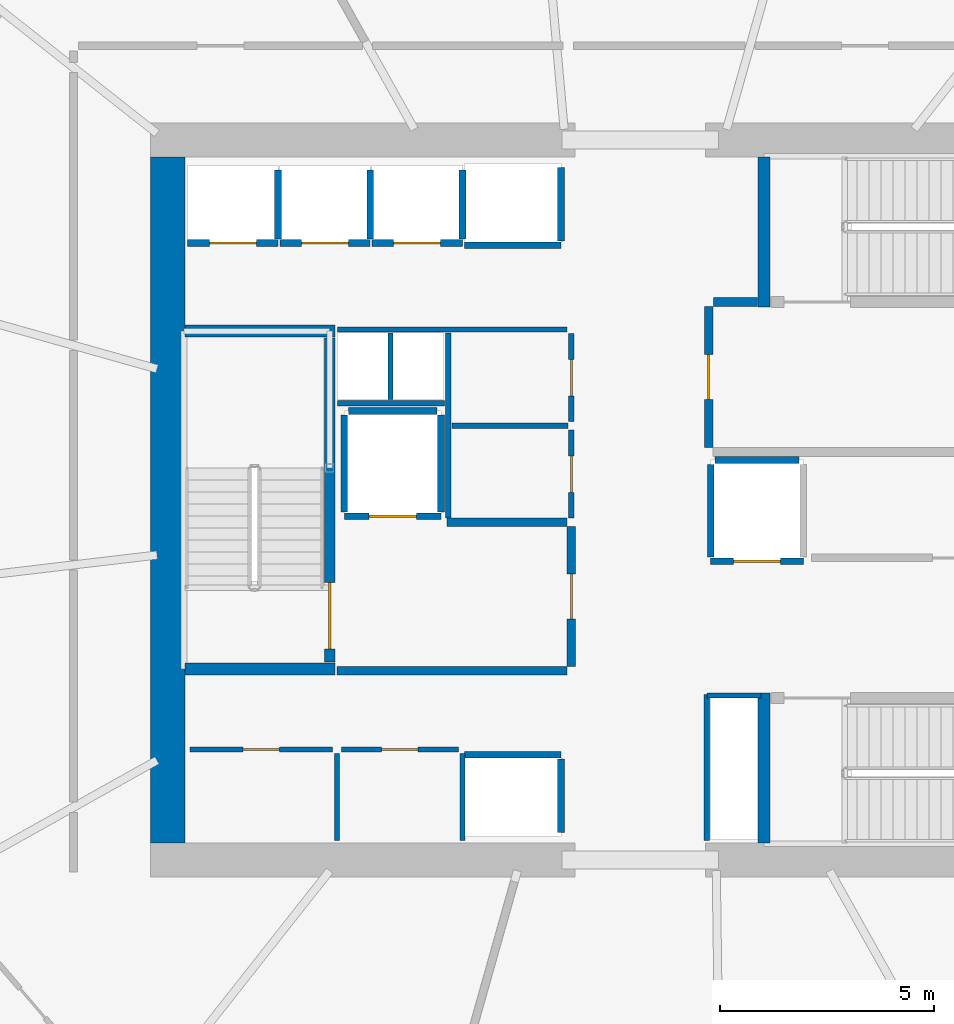
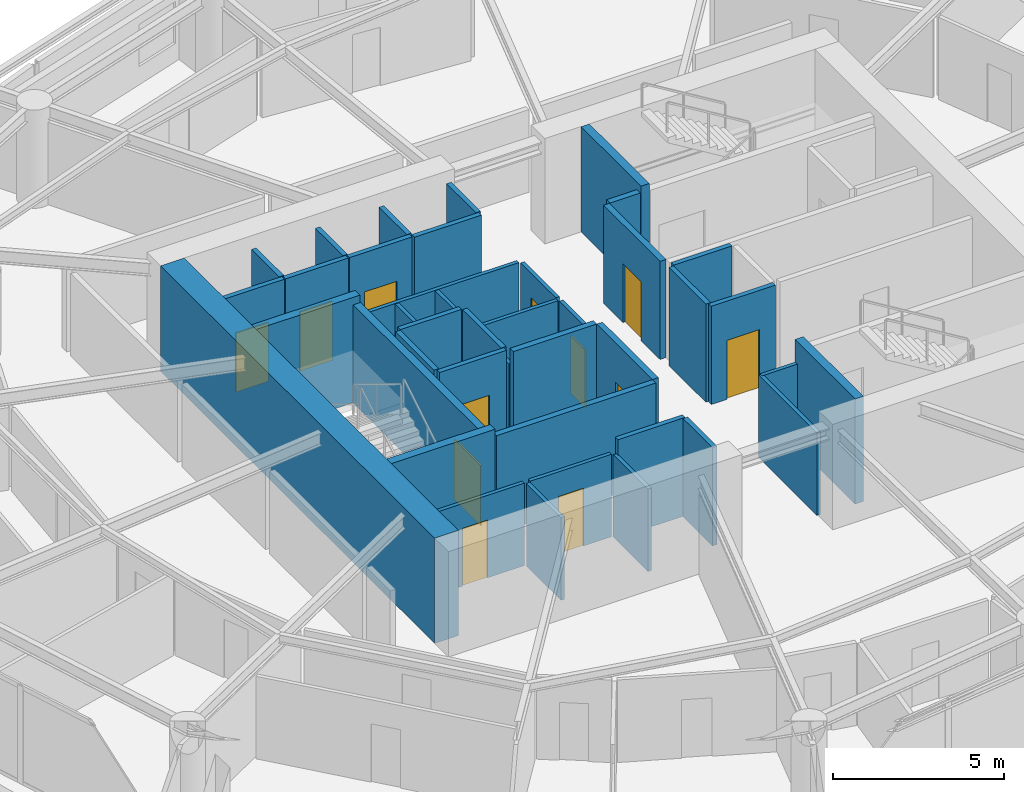
# One storey, part 12 of 20: 41 walls, 12 doors, 12 openings.
"""IFC4 building model written with IfcOpenShell, lengths in metres."""

from ifc_helpers import new_model, si_unit, direction, frame, frame_2d, origin, place, context, subcontext, project, spatial, rectangle, extrude, material, layer, layer_set, type_object, element, fill, save


model = new_model("IFC4")

# Units and contexts
model_context = context("Model", 3, precision=1e-05, world=origin(), true_north=direction((0.0, 1.0)))
body_context = subcontext(model_context, "Body", "Model", "MODEL_VIEW")
ifc_project = project(units=[si_unit("LENGTHUNIT", "METRE"), si_unit("AREAUNIT", "SQUARE_METRE"), si_unit("VOLUMEUNIT", "CUBIC_METRE"), si_unit("PLANEANGLEUNIT", "RADIAN"), si_unit("MASSUNIT", "GRAM", prefix="KILO")], contexts=[model_context])

# Site, building, storey
site_placement = place(None, origin())
site = spatial("IfcSite", under=ifc_project, at=site_placement, CompositionType="ELEMENT")
building_placement = place(site_placement, origin())
building = spatial("IfcBuilding", under=site, at=building_placement, Name="Kazma Halo Residences", CompositionType="ELEMENT")
storey_placement = place(building_placement, frame((0.0, 0.0, 165.300048828125)))
storey = spatial("IfcBuildingStorey", under=building, at=storey_placement, Name="L41", CompositionType="ELEMENT", Elevation=165.300048828125)

# Walls
ifc_material_1 = material(Name="Concrete C80/95", Category="concrete")
ifc_layer_1 = layer(ifc_material_1, 0.800048828125)
ifc_layer_set_1 = layer_set([ifc_layer_1], Name="Concrete C80/95")
wall_type_1 = type_object("IfcWallType", Name="WL-CORE-800", PredefinedType="SHEAR", material=ifc_layer_set_1)
wall_1_placement = place(storey_placement, frame((37.39990234375, 34.0, 0.0), z_axis=(0.0, 0.0, 1.0), x_axis=(0.0, 1.0, 0.0)))
element("IfcWall", 1, at=wall_1_placement, inside=storey, type_object=wall_type_1, Name="L41 central core shear wall W", PredefinedType="SHEAR", context=body_context, shape_type="SweptSolid", body=[
    extrude(rectangle(XDim=16.0, YDim=0.800048828125, at=frame_2d((8.0, 0.0))), origin(), (0.0, 0.0, 1.0), 3.75),
])
ifc_material_2 = material(Name="Concrete C60/75", Category="concrete")
ifc_layer_2 = layer(ifc_material_2, 0.280029296875)
ifc_layer_set_2 = layer_set([ifc_layer_2], Name="Concrete C60/75")
wall_type_2 = type_object("IfcWallType", Name="WL-CORE-ST-280", PredefinedType="SHEAR", material=ifc_layer_set_2)
for number, where, z_axis, x_axis, name in (
    (2, (37.800048828125, 38.06005859375, 0.0), (0.0, 0.0, 1.0), (1.0, 0.0, 0.0), "L41 stairwell bearing wall ST01-S"),
    (3, (37.800048828125, 45.93994140625, 0.0), (0.0, 0.0, 1.0), (1.0, 0.0, 0.0), "L41 stairwell bearing wall ST01-N"),
    (4, (51.31005859375, 46.5, 0.0), (0.0, 0.0, 1.0), (0.0, 1.0, 0.0), "L41 stairwell bearing wall ST02-W"),
    (5, (51.31005859375, 34.0, 0.0), (0.0, 0.0, 1.0), (0.0, 1.0, 0.0), "L41 stairwell bearing wall ST03-W"),
):
    element("IfcWall", number, at=place(storey_placement, frame(where, z_axis=z_axis, x_axis=x_axis)), inside=storey, type_object=wall_type_2, Name=name, PredefinedType="SHEAR", context=body_context, shape_type="SweptSolid", body=[
        extrude(rectangle(XDim=3.5, YDim=0.280029296875, at=frame_2d((1.75, 0.0))), origin(), (0.0, 0.0, 1.0), 3.75),
    ])

# Wall, opening, door
ifc_material_3 = material(Name="Fire-Rated Blockwork Masonry", Category="masonry")
ifc_layer_3 = layer(ifc_material_3, 0.199951171875)
ifc_layer_set_3 = layer_set([ifc_layer_3], Name="Fire-Rated Blockwork Masonry")
wall_type_3 = type_object("IfcWallType", Name="WL-FLB-200", PredefinedType="PARTITIONING", material=ifc_layer_set_3)
wall_2_placement = place(storey_placement, frame((39.97509765625, 47.9951171875, 0.0), z_axis=(0.0, 0.0, 1.0), x_axis=(-1.0, 0.0, 0.0)))
wall_2 = element("IfcWall", 6, at=wall_2_placement, inside=storey, type_object=wall_type_3, Name="L41 lift shaft PM-01 front wall", PredefinedType="PARTITIONING", context=body_context, shape_type="SweptSolid", body=[
    extrude(rectangle(XDim=2.110107421875, YDim=0.159912109375, at=frame_2d((1.05517578125, 0.0))), origin(), (0.0, 0.0, 1.0), 3.5),
])
opening_1_placement = place(wall_2_placement, frame((0.5048828125, 0.0, 0.0)))
opening_1 = element("IfcOpeningElement", 7, at=opening_1_placement, cuts=wall_2, Name="Opening LD-PM-01", PredefinedType="OPENING", context=body_context, shape_type="SweptSolid", body=[
    extrude(rectangle(XDim=1.10009765625, YDim=2.10009765625, at=frame_2d((0.550048828125, 1.050048828125))), frame((0.0, 0.08984375, 0.0), z_axis=(0.0, -1.0, 0.0), x_axis=(1.0, 0.0, 0.0)), (0.0, 0.0, 1.0), 0.179931640625),
])
ifc_material_4 = material(Name="Stainless Steel Fire-Rated", Category="steel")
door_type_1 = type_object("IfcDoorType", Name="DR-LIFT-SLD-1100", OperationType="DOUBLE_DOOR_SLIDING", PredefinedType="DOOR", material=ifc_material_4)
door_1_placement = place(opening_1_placement, origin())
door_1 = element("IfcDoor", 8, at=door_1_placement, inside=storey, type_object=door_type_1, Name="L41 lift PM-01 sliding landing door", OperationType="DOUBLE_DOOR_SLIDING", OverallHeight=2.10009765625, OverallWidth=1.10009765625, PredefinedType="DOOR", context=body_context, shape_type="SweptSolid", body=[
    extrude(rectangle(XDim=1.10009765625, YDim=2.10009765625, at=frame_2d((0.550048828125, 1.050048828125))), frame((0.0, 0.02490234375, 0.0), z_axis=(0.0, -1.0, 0.0), x_axis=(1.0, 0.0, 0.0)), (0.0, 0.0, 1.0), 0.050048828125),
])
fill(opening_1, door_1)

# Wall
wall_3_placement = place(storey_placement, frame((39.97509765625, 48.094970703125, 0.0), z_axis=(0.0, 0.0, 1.0), x_axis=(0.0, 1.0, 0.0)))
element("IfcWall", 9, at=wall_3_placement, inside=storey, type_object=wall_type_3, Name="L41 lift shaft PM-01 side wall E", PredefinedType="PARTITIONING", context=body_context, shape_type="SweptSolid", body=[
    extrude(rectangle(XDim=1.610107421875, YDim=0.159912109375, at=frame_2d((0.80517578125, 0.0))), origin(), (0.0, 0.0, 1.0), 3.5),
])

# Wall, opening, door
wall_4_placement = place(storey_placement, frame((42.125, 47.9951171875, 0.0), z_axis=(0.0, 0.0, 1.0), x_axis=(-1.0, 0.0, 0.0)))
wall_4 = element("IfcWall", 10, at=wall_4_placement, inside=storey, type_object=wall_type_3, Name="L41 lift shaft PM-02 front wall", PredefinedType="PARTITIONING", context=body_context, shape_type="SweptSolid", body=[
    extrude(rectangle(XDim=2.110107421875, YDim=0.159912109375, at=frame_2d((1.05517578125, 0.0))), origin(), (0.0, 0.0, 1.0), 3.5),
])
opening_2_placement = place(wall_4_placement, frame((0.5048828125, 0.0, 0.0)))
opening_2 = element("IfcOpeningElement", 11, at=opening_2_placement, cuts=wall_4, Name="Opening LD-PM-02", PredefinedType="OPENING", context=body_context, shape_type="SweptSolid", body=[
    extrude(rectangle(XDim=1.10009765625, YDim=2.10009765625, at=frame_2d((0.550048828125, 1.050048828125))), frame((0.0, 0.08984375, 0.0), z_axis=(0.0, -1.0, 0.0), x_axis=(1.0, 0.0, 0.0)), (0.0, 0.0, 1.0), 0.179931640625),
])
door_2_placement = place(opening_2_placement, origin())
door_2 = element("IfcDoor", 12, at=door_2_placement, inside=storey, type_object=door_type_1, Name="L41 lift PM-02 sliding landing door", OperationType="DOUBLE_DOOR_SLIDING", OverallHeight=2.10009765625, OverallWidth=1.10009765625, PredefinedType="DOOR", context=body_context, shape_type="SweptSolid", body=[
    extrude(rectangle(XDim=1.10009765625, YDim=2.10009765625, at=frame_2d((0.550048828125, 1.050048828125))), frame((0.0, 0.02490234375, 0.0), z_axis=(0.0, -1.0, 0.0), x_axis=(1.0, 0.0, 0.0)), (0.0, 0.0, 1.0), 0.050048828125),
])
fill(opening_2, door_2)

# Wall
wall_5_placement = place(storey_placement, frame((42.125, 48.094970703125, 0.0), z_axis=(0.0, 0.0, 1.0), x_axis=(0.0, 1.0, 0.0)))
element("IfcWall", 13, at=wall_5_placement, inside=storey, type_object=wall_type_3, Name="L41 lift shaft PM-02 side wall E", PredefinedType="PARTITIONING", context=body_context, shape_type="SweptSolid", body=[
    extrude(rectangle(XDim=1.610107421875, YDim=0.159912109375, at=frame_2d((0.80517578125, 0.0))), origin(), (0.0, 0.0, 1.0), 3.5),
])

# Wall, opening, door
wall_6_placement = place(storey_placement, frame((44.27490234375, 47.9951171875, 0.0), z_axis=(0.0, 0.0, 1.0), x_axis=(-1.0, 0.0, 0.0)))
wall_6 = element("IfcWall", 14, at=wall_6_placement, inside=storey, type_object=wall_type_3, Name="L41 lift shaft PM-03 front wall", PredefinedType="PARTITIONING", context=body_context, shape_type="SweptSolid", body=[
    extrude(rectangle(XDim=2.10986328125, YDim=0.159912109375, at=frame_2d((1.054931640625, 0.0))), origin(), (0.0, 0.0, 1.0), 3.5),
])
opening_3_placement = place(wall_6_placement, frame((0.5048828125, 0.0, 0.0)))
opening_3 = element("IfcOpeningElement", 15, at=opening_3_placement, cuts=wall_6, Name="Opening LD-PM-03", PredefinedType="OPENING", context=body_context, shape_type="SweptSolid", body=[
    extrude(rectangle(XDim=1.10009765625, YDim=2.10009765625, at=frame_2d((0.550048828125, 1.050048828125))), frame((0.0, 0.08984375, 0.0), z_axis=(0.0, -1.0, 0.0), x_axis=(1.0, 0.0, 0.0)), (0.0, 0.0, 1.0), 0.179931640625),
])
door_3_placement = place(opening_3_placement, origin())
door_3 = element("IfcDoor", 16, at=door_3_placement, inside=storey, type_object=door_type_1, Name="L41 lift PM-03 sliding landing door", OperationType="DOUBLE_DOOR_SLIDING", OverallHeight=2.10009765625, OverallWidth=1.10009765625, PredefinedType="DOOR", context=body_context, shape_type="SweptSolid", body=[
    extrude(rectangle(XDim=1.10009765625, YDim=2.10009765625, at=frame_2d((0.550048828125, 1.050048828125))), frame((0.0, 0.02490234375, 0.0), z_axis=(0.0, -1.0, 0.0), x_axis=(1.0, 0.0, 0.0)), (0.0, 0.0, 1.0), 0.050048828125),
])
fill(opening_3, door_3)

# Walls
wall_7_placement = place(storey_placement, frame((44.27490234375, 48.094970703125, 0.0), z_axis=(0.0, 0.0, 1.0), x_axis=(0.0, 1.0, 0.0)))
element("IfcWall", 17, at=wall_7_placement, inside=storey, type_object=wall_type_3, Name="L41 lift shaft PM-03 side wall E", PredefinedType="PARTITIONING", context=body_context, shape_type="SweptSolid", body=[
    extrude(rectangle(XDim=1.610107421875, YDim=0.159912109375, at=frame_2d((0.80517578125, 0.0))), origin(), (0.0, 0.0, 1.0), 3.5),
])
wall_8_placement = place(storey_placement, frame((46.580078125, 47.945068359375, 0.0), z_axis=(0.0, 0.0, 1.0), x_axis=(-1.0, 0.0, 0.0)))
element("IfcWall", 18, at=wall_8_placement, inside=storey, type_object=wall_type_3, Name="L41 lift shaft PX-01 front wall", PredefinedType="PARTITIONING", context=body_context, shape_type="SweptSolid", body=[
    extrude(rectangle(XDim=2.260009765625, YDim=0.159912109375, at=frame_2d((1.1298828125, 0.0))), origin(), (0.0, 0.0, 1.0), 3.5),
])
wall_9_placement = place(storey_placement, frame((46.580078125, 48.044921875, 0.0), z_axis=(0.0, 0.0, 1.0), x_axis=(0.0, 1.0, 0.0)))
element("IfcWall", 19, at=wall_9_placement, inside=storey, type_object=wall_type_3, Name="L41 lift shaft PX-01 side wall E", PredefinedType="PARTITIONING", context=body_context, shape_type="SweptSolid", body=[
    extrude(rectangle(XDim=1.7099609375, YDim=0.159912109375, at=frame_2d((0.85498046875, 0.0))), origin(), (0.0, 0.0, 1.0), 3.5),
])
wall_10_placement = place(storey_placement, frame((44.320068359375, 36.054931640625, 0.0), z_axis=(0.0, 0.0, 1.0), x_axis=(1.0, 0.0, 0.0)))
element("IfcWall", 20, at=wall_10_placement, inside=storey, type_object=wall_type_3, Name="L41 lift shaft PX-02 front wall", PredefinedType="PARTITIONING", context=body_context, shape_type="SweptSolid", body=[
    extrude(rectangle(XDim=2.260009765625, YDim=0.159912109375, at=frame_2d((1.1298828125, 0.0))), origin(), (0.0, 0.0, 1.0), 3.5),
])
wall_11_placement = place(storey_placement, frame((46.580078125, 34.2451171875, 0.0), z_axis=(0.0, 0.0, 1.0), x_axis=(0.0, 1.0, 0.0)))
element("IfcWall", 21, at=wall_11_placement, inside=storey, type_object=wall_type_3, Name="L41 lift shaft PX-02 side wall E", PredefinedType="PARTITIONING", context=body_context, shape_type="SweptSolid", body=[
    extrude(rectangle(XDim=1.7099609375, YDim=0.159912109375, at=frame_2d((0.85498046875, 0.0))), origin(), (0.0, 0.0, 1.0), 3.5),
])

# Wall, opening, door
wall_12_placement = place(storey_placement, frame((43.780029296875, 41.6201171875, 0.0), z_axis=(0.0, 0.0, 1.0), x_axis=(-1.0, 0.0, 0.0)))
wall_12 = element("IfcWall", 22, at=wall_12_placement, inside=storey, type_object=wall_type_3, Name="L41 lift shaft FL-01 front wall", PredefinedType="PARTITIONING", context=body_context, shape_type="SweptSolid", body=[
    extrude(rectangle(XDim=2.260009765625, YDim=0.159912109375, at=frame_2d((1.1298828125, 0.0))), origin(), (0.0, 0.0, 1.0), 3.5),
])
opening_4_placement = place(wall_12_placement, frame((0.580078125, 0.0, 0.0)))
opening_4 = element("IfcOpeningElement", 23, at=opening_4_placement, cuts=wall_12, Name="Opening LD-FL-01", PredefinedType="OPENING", context=body_context, shape_type="SweptSolid", body=[
    extrude(rectangle(XDim=1.10009765625, YDim=2.10009765625, at=frame_2d((0.550048828125, 1.050048828125))), frame((0.0, 0.08984375, 0.0), z_axis=(0.0, -1.0, 0.0), x_axis=(1.0, 0.0, 0.0)), (0.0, 0.0, 1.0), 0.179931640625),
])
door_4_placement = place(opening_4_placement, origin())
door_4 = element("IfcDoor", 24, at=door_4_placement, inside=storey, type_object=door_type_1, Name="L41 lift FL-01 sliding landing door", OperationType="DOUBLE_DOOR_SLIDING", OverallHeight=2.10009765625, OverallWidth=1.10009765625, PredefinedType="DOOR", context=body_context, shape_type="SweptSolid", body=[
    extrude(rectangle(XDim=1.10009765625, YDim=2.10009765625, at=frame_2d((0.550048828125, 1.050048828125))), frame((0.0, 0.02490234375, 0.0), z_axis=(0.0, -1.0, 0.0), x_axis=(1.0, 0.0, 0.0)), (0.0, 0.0, 1.0), 0.050048828125),
])
fill(opening_4, door_4)

# Walls
for number, where, z_axis, x_axis, name in (
    (25, (43.780029296875, 41.719970703125, 0.0), (0.0, 0.0, 1.0), (0.0, 1.0, 0.0), "L41 lift shaft FL-01 side wall E"),
    (26, (41.52001953125, 41.719970703125, 0.0), (0.0, 0.0, 1.0), (0.0, 1.0, 0.0), "L41 lift shaft FL-01 side wall W"),
):
    element("IfcWall", number, at=place(storey_placement, frame(where, z_axis=z_axis, x_axis=x_axis)), inside=storey, type_object=wall_type_3, Name=name, PredefinedType="PARTITIONING", context=body_context, shape_type="SweptSolid", body=[
        extrude(rectangle(XDim=2.260009765625, YDim=0.159912109375, at=frame_2d((1.1298828125, 0.0))), origin(), (0.0, 0.0, 1.0), 3.5),
    ])
wall_13_placement = place(storey_placement, frame((41.6201171875, 44.080078125, 0.0), z_axis=(0.0, 0.0, 1.0), x_axis=(1.0, 0.0, 0.0)))
element("IfcWall", 27, at=wall_13_placement, inside=storey, type_object=wall_type_3, Name="L41 lift shaft FL-01 side wall N", PredefinedType="PARTITIONING", context=body_context, shape_type="SweptSolid", body=[
    extrude(rectangle(XDim=2.059814453125, YDim=0.159912109375, at=frame_2d((1.02978515625, 0.0))), origin(), (0.0, 0.0, 1.0), 3.5),
])

# Wall, opening, door
wall_14_placement = place(storey_placement, frame((52.22998046875, 40.570068359375, 0.0), z_axis=(0.0, 0.0, 1.0), x_axis=(-1.0, 0.0, 0.0)))
wall_14 = element("IfcWall", 28, at=wall_14_placement, inside=storey, type_object=wall_type_3, Name="L41 lift shaft SV-01 front wall", PredefinedType="PARTITIONING", context=body_context, shape_type="SweptSolid", body=[
    extrude(rectangle(XDim=2.159912109375, YDim=0.159912109375, at=frame_2d((1.080078125, 0.0))), origin(), (0.0, 0.0, 1.0), 3.5),
])
opening_5_placement = place(wall_14_placement, frame((0.530029296875, 0.0, 0.0)))
opening_5 = element("IfcOpeningElement", 29, at=opening_5_placement, cuts=wall_14, Name="Opening LD-SV-01", PredefinedType="OPENING", context=body_context, shape_type="SweptSolid", body=[
    extrude(rectangle(XDim=1.10009765625, YDim=2.10009765625, at=frame_2d((0.550048828125, 1.050048828125))), frame((0.0, 0.08984375, 0.0), z_axis=(0.0, -1.0, 0.0), x_axis=(1.0, 0.0, 0.0)), (0.0, 0.0, 1.0), 0.179931640625),
])
door_5_placement = place(opening_5_placement, origin())
door_5 = element("IfcDoor", 30, at=door_5_placement, inside=storey, type_object=door_type_1, Name="L41 lift SV-01 sliding landing door", OperationType="DOUBLE_DOOR_SLIDING", OverallHeight=2.10009765625, OverallWidth=1.10009765625, PredefinedType="DOOR", context=body_context, shape_type="SweptSolid", body=[
    extrude(rectangle(XDim=1.10009765625, YDim=2.10009765625, at=frame_2d((0.550048828125, 1.050048828125))), frame((0.0, 0.02490234375, 0.0), z_axis=(0.0, -1.0, 0.0), x_axis=(1.0, 0.0, 0.0)), (0.0, 0.0, 1.0), 0.050048828125),
])
fill(opening_5, door_5)

# Walls
wall_15_placement = place(storey_placement, frame((50.070068359375, 40.669921875, 0.0), z_axis=(0.0, 0.0, 1.0), x_axis=(0.0, 1.0, 0.0)))
element("IfcWall", 31, at=wall_15_placement, inside=storey, type_object=wall_type_3, Name="L41 lift shaft SV-01 side wall W", PredefinedType="PARTITIONING", context=body_context, shape_type="SweptSolid", body=[
    extrude(rectangle(XDim=2.16015625, YDim=0.159912109375, at=frame_2d((1.080078125, 0.0))), origin(), (0.0, 0.0, 1.0), 3.5),
])
wall_16_placement = place(storey_placement, frame((50.169921875, 42.929931640625, 0.0), z_axis=(0.0, 0.0, 1.0), x_axis=(1.0, 0.0, 0.0)))
element("IfcWall", 32, at=wall_16_placement, inside=storey, type_object=wall_type_3, Name="L41 lift shaft SV-01 side wall N", PredefinedType="PARTITIONING", context=body_context, shape_type="SweptSolid", body=[
    extrude(rectangle(XDim=1.9599609375, YDim=0.159912109375, at=frame_2d((0.97998046875, 0.0))), origin(), (0.0, 0.0, 1.0), 3.5),
])
wall_17_placement = place(storey_placement, frame((41.35009765625, 38.02001953125, 0.0), z_axis=(0.0, 0.0, 1.0), x_axis=(1.0, 0.0, 0.0)))
element("IfcWall", 33, at=wall_17_placement, inside=storey, type_object=wall_type_3, Name="L41 west firefighting lobby south smoke wall", PredefinedType="PARTITIONING", context=body_context, shape_type="SweptSolid", body=[
    extrude(rectangle(XDim=5.369873046875, YDim=0.199951171875, at=frame_2d((2.68505859375, 0.0))), origin(), (0.0, 0.0, 1.0), 3.5),
])
wall_18_placement = place(storey_placement, frame((43.919921875, 41.47998046875, 0.0), z_axis=(0.0, 0.0, 1.0), x_axis=(1.0, 0.0, 0.0)))
element("IfcWall", 34, at=wall_18_placement, inside=storey, type_object=wall_type_3, Name="L41 west firefighting lobby north smoke wall", PredefinedType="PARTITIONING", context=body_context, shape_type="SweptSolid", body=[
    extrude(rectangle(XDim=2.800048828125, YDim=0.199951171875, at=frame_2d((1.39990234375, 0.0))), origin(), (0.0, 0.0, 1.0), 3.5),
])

# Wall, opening, door
wall_19_placement = place(storey_placement, frame((46.820068359375, 38.1201171875, 0.0), z_axis=(0.0, 0.0, 1.0), x_axis=(0.0, 1.0, 0.0)))
wall_19 = element("IfcWall", 35, at=wall_19_placement, inside=storey, type_object=wall_type_3, Name="L41 west firefighting lobby smoke wall", PredefinedType="PARTITIONING", context=body_context, shape_type="SweptSolid", body=[
    extrude(rectangle(XDim=3.259765625, YDim=0.199951171875, at=frame_2d((1.6298828125, 0.0))), origin(), (0.0, 0.0, 1.0), 3.5),
])
opening_6_placement = place(wall_19_placement, frame((1.10498046875, 0.0, 0.0)))
opening_6 = element("IfcOpeningElement", 36, at=opening_6_placement, cuts=wall_19, Name="Opening D-FLW", PredefinedType="OPENING", context=body_context, shape_type="SweptSolid", body=[
    extrude(rectangle(XDim=1.050048828125, YDim=2.10009765625, at=frame_2d((0.52490234375, 1.050048828125))), frame((0.0, 0.10986328125, 0.0), z_axis=(0.0, -1.0, 0.0), x_axis=(1.0, 0.0, 0.0)), (0.0, 0.0, 1.0), 0.219970703125),
])
ifc_material_5 = material(Name="Fire-Rated Steel Leaf", Category="steel")
door_type_2 = type_object("IfcDoorType", Name="DR-FD90-1050", OperationType="NOTDEFINED", PredefinedType="DOOR", material=ifc_material_5)
door_6_placement = place(opening_6_placement, origin())
door_6 = element("IfcDoor", 37, at=door_6_placement, inside=storey, type_object=door_type_2, Name="L41 west firefighting lobby smoke door", OperationType="SINGLE_SWING_RIGHT", OverallHeight=2.10009765625, OverallWidth=1.050048828125, PredefinedType="DOOR", context=body_context, shape_type="SweptSolid", body=[
    extrude(rectangle(XDim=1.050048828125, YDim=2.10009765625, at=frame_2d((0.52490234375, 1.050048828125))), frame((0.0, 0.02490234375, 0.0), z_axis=(0.0, -1.0, 0.0), x_axis=(1.0, 0.0, 0.0)), (0.0, 0.0, 1.0), 0.050048828125),
])
fill(opening_6, door_6)

# Wall
wall_20_placement = place(storey_placement, frame((50.139892578125, 46.6201171875, 0.0), z_axis=(0.0, 0.0, 1.0), x_axis=(1.0, 0.0, 0.0)))
element("IfcWall", 38, at=wall_20_placement, inside=storey, type_object=wall_type_3, Name="L41 east firefighting lobby north closure wall", PredefinedType="PARTITIONING", context=body_context, shape_type="SweptSolid", body=[
    extrude(rectangle(XDim=1.02001953125, YDim=0.199951171875, at=frame_2d((0.510009765625, 0.0))), origin(), (0.0, 0.0, 1.0), 3.5),
])

# Wall, opening, door
wall_21_placement = place(storey_placement, frame((50.02001953125, 43.219970703125, 0.0), z_axis=(0.0, 0.0, 1.0), x_axis=(0.0, 1.0, 0.0)))
wall_21 = element("IfcWall", 39, at=wall_21_placement, inside=storey, type_object=wall_type_3, Name="L41 east firefighting lobby smoke wall", PredefinedType="PARTITIONING", context=body_context, shape_type="SweptSolid", body=[
    extrude(rectangle(XDim=3.300048828125, YDim=0.199951171875, at=frame_2d((1.64990234375, 0.0))), origin(), (0.0, 0.0, 1.0), 3.5),
])
opening_7_placement = place(wall_21_placement, frame((1.125, 0.0, 0.0)))
opening_7 = element("IfcOpeningElement", 40, at=opening_7_placement, cuts=wall_21, Name="Opening D-FLE", PredefinedType="OPENING", context=body_context, shape_type="SweptSolid", body=[
    extrude(rectangle(XDim=1.050048828125, YDim=2.10009765625, at=frame_2d((0.52490234375, 1.050048828125))), frame((0.0, 0.10986328125, 0.0), z_axis=(0.0, -1.0, 0.0), x_axis=(1.0, 0.0, 0.0)), (0.0, 0.0, 1.0), 0.219970703125),
])
door_7_placement = place(opening_7_placement, origin())
door_7 = element("IfcDoor", 41, at=door_7_placement, inside=storey, type_object=door_type_2, Name="L41 east firefighting lobby smoke door", OperationType="SINGLE_SWING_LEFT", OverallHeight=2.10009765625, OverallWidth=1.050048828125, PredefinedType="DOOR", context=body_context, shape_type="SweptSolid", body=[
    extrude(rectangle(XDim=1.050048828125, YDim=2.10009765625, at=frame_2d((0.52490234375, 1.050048828125))), frame((0.0, 0.02490234375, 0.0), z_axis=(0.0, -1.0, 0.0), x_axis=(1.0, 0.0, 0.0)), (0.0, 0.0, 1.0), 0.050048828125),
])
fill(opening_7, door_7)

# Walls
ifc_material_6 = material(Name="Gypsum Plasterboard Partition")
ifc_layer_4 = layer(ifc_material_6, 0.125)
ifc_layer_set_4 = layer_set([ifc_layer_4], Name="Gypsum Plasterboard Partition")
wall_type_4 = type_object("IfcWallType", Name="WL-PART-125", PredefinedType="PARTITIONING", material=ifc_layer_set_4)
for number, where, z_axis, x_axis, name in (
    (42, (44.280029296875, 34.050048828125, 0.0), (0.0, 0.0, 1.0), (0.0, 1.0, 0.0), "L41 reclaimed south east wall"),
    (43, (41.35009765625, 34.050048828125, 0.0), (0.0, 0.0, 1.0), (0.0, 1.0, 0.0), "L41 reclaimed south divider wall"),
):
    element("IfcWall", number, at=place(storey_placement, frame(where, z_axis=z_axis, x_axis=x_axis)), inside=storey, type_object=wall_type_4, Name=name, PredefinedType="PARTITIONING", context=body_context, shape_type="SweptSolid", body=[
        extrude(rectangle(XDim=2.030029296875, YDim=0.125, at=frame_2d((1.01513671875, 0.0))), origin(), (0.0, 0.0, 1.0), 2.93994140625),
    ])

# Wall, opening, door
wall_22_placement = place(storey_placement, frame((37.919921875, 36.179931640625, 0.0), z_axis=(0.0, 0.0, 1.0), x_axis=(1.0, 0.0, 0.0)))
wall_22 = element("IfcWall", 44, at=wall_22_placement, inside=storey, type_object=wall_type_4, Name="L41 reclaimed south W front wall", PredefinedType="PARTITIONING", context=body_context, shape_type="SweptSolid", body=[
    extrude(rectangle(XDim=3.330078125, YDim=0.125, at=frame_2d((1.6650390625, 0.0))), origin(), (0.0, 0.0, 1.0), 2.93994140625),
])
opening_8_placement = place(wall_22_placement, frame((1.239990234375, 0.0, 0.0)))
opening_8 = element("IfcOpeningElement", 45, at=opening_8_placement, cuts=wall_22, Name="Opening DS-850", PredefinedType="OPENING", context=body_context, shape_type="SweptSolid", body=[
    extrude(rectangle(XDim=0.85009765625, YDim=2.06005859375, at=frame_2d((0.425048828125, 1.030029296875))), frame((0.0, 0.072509765625, 0.0), z_axis=(0.0, -1.0, 0.0), x_axis=(1.0, 0.0, 0.0)), (0.0, 0.0, 1.0), 0.14501953125),
])
ifc_material_7 = material(Name="Painted Steel Access Leaf", Category="steel")
door_type_3 = type_object("IfcDoorType", Name="DR-SVC-850", OperationType="NOTDEFINED", PredefinedType="DOOR", material=ifc_material_7)
door_8_placement = place(opening_8_placement, origin())
door_8 = element("IfcDoor", 46, at=door_8_placement, inside=storey, type_object=door_type_3, Name="L41 reclaimed south W door", OperationType="SINGLE_SWING_RIGHT", OverallHeight=2.06005859375, OverallWidth=0.85009765625, PredefinedType="DOOR", context=body_context, shape_type="SweptSolid", body=[
    extrude(rectangle(XDim=0.85009765625, YDim=2.06005859375, at=frame_2d((0.425048828125, 1.030029296875))), frame((0.0, 0.02490234375, 0.0), z_axis=(0.0, -1.0, 0.0), x_axis=(1.0, 0.0, 0.0)), (0.0, 0.0, 1.0), 0.050048828125),
])
fill(opening_8, door_8)

wall_23_placement = place(storey_placement, frame((41.449951171875, 36.179931640625, 0.0), z_axis=(0.0, 0.0, 1.0), x_axis=(1.0, 0.0, 0.0)))
wall_23 = element("IfcWall", 47, at=wall_23_placement, inside=storey, type_object=wall_type_4, Name="L41 reclaimed south E front wall", PredefinedType="PARTITIONING", context=body_context, shape_type="SweptSolid", body=[
    extrude(rectangle(XDim=2.72998046875, YDim=0.125, at=frame_2d((1.364990234375, 0.0))), origin(), (0.0, 0.0, 1.0), 2.93994140625),
])
opening_9_placement = place(wall_23_placement, frame((0.93994140625, 0.0, 0.0)))
opening_9 = element("IfcOpeningElement", 48, at=opening_9_placement, cuts=wall_23, Name="Opening DS-850", PredefinedType="OPENING", context=body_context, shape_type="SweptSolid", body=[
    extrude(rectangle(XDim=0.85009765625, YDim=2.06005859375, at=frame_2d((0.425048828125, 1.030029296875))), frame((0.0, 0.072509765625, 0.0), z_axis=(0.0, -1.0, 0.0), x_axis=(1.0, 0.0, 0.0)), (0.0, 0.0, 1.0), 0.14501953125),
])
door_9_placement = place(opening_9_placement, origin())
door_9 = element("IfcDoor", 49, at=door_9_placement, inside=storey, type_object=door_type_3, Name="L41 reclaimed south E door", OperationType="SINGLE_SWING_LEFT", OverallHeight=2.06005859375, OverallWidth=0.85009765625, PredefinedType="DOOR", context=body_context, shape_type="SweptSolid", body=[
    extrude(rectangle(XDim=0.85009765625, YDim=2.06005859375, at=frame_2d((0.425048828125, 1.030029296875))), frame((0.0, 0.02490234375, 0.0), z_axis=(0.0, -1.0, 0.0), x_axis=(1.0, 0.0, 0.0)), (0.0, 0.0, 1.0), 0.050048828125),
])
fill(opening_9, door_9)

# Walls
wall_24_placement = place(storey_placement, frame((41.360107421875, 45.97998046875, 0.0), z_axis=(0.0, 0.0, 1.0), x_axis=(1.0, 0.0, 0.0)))
element("IfcWall", 50, at=wall_24_placement, inside=storey, type_object=wall_type_4, Name="L41 core north riser wall", PredefinedType="PARTITIONING", context=body_context, shape_type="SweptSolid", body=[
    extrude(rectangle(XDim=5.35986328125, YDim=0.125, at=frame_2d((2.679931640625, 0.0))), origin(), (0.0, 0.0, 1.0), 2.93994140625),
])
wall_25_placement = place(storey_placement, frame((41.360107421875, 44.260009765625, 0.0), z_axis=(0.0, 0.0, 1.0), x_axis=(1.0, 0.0, 0.0)))
element("IfcWall", 51, at=wall_25_placement, inside=storey, type_object=wall_type_4, Name="L41 core riser south wall", PredefinedType="PARTITIONING", context=body_context, shape_type="SweptSolid", body=[
    extrude(rectangle(XDim=2.5, YDim=0.125, at=frame_2d((1.25, 0.0))), origin(), (0.0, 0.0, 1.0), 2.93994140625),
])
wall_26_placement = place(storey_placement, frame((42.60009765625, 44.35009765625, 0.0), z_axis=(0.0, 0.0, 1.0), x_axis=(0.0, 1.0, 0.0)))
element("IfcWall", 52, at=wall_26_placement, inside=storey, type_object=wall_type_4, Name="L41 core riser divider wall", PredefinedType="PARTITIONING", context=body_context, shape_type="SweptSolid", body=[
    extrude(rectangle(XDim=1.5498046875, YDim=0.125, at=frame_2d((0.77490234375, 0.0))), origin(), (0.0, 0.0, 1.0), 2.93994140625),
])
wall_27_placement = place(storey_placement, frame((49.97998046875, 34.06005859375, 0.0), z_axis=(0.0, 0.0, 1.0), x_axis=(0.0, 1.0, 0.0)))
element("IfcWall", 53, at=wall_27_placement, inside=storey, type_object=wall_type_4, Name="L41 standpipe riser wall", PredefinedType="PARTITIONING", context=body_context, shape_type="SweptSolid", body=[
    extrude(rectangle(XDim=3.39990234375, YDim=0.125, at=frame_2d((1.699951171875, 0.0))), origin(), (0.0, 0.0, 1.0), 2.93994140625),
])
wall_28_placement = place(storey_placement, frame((49.97998046875, 37.43994140625, 0.0), z_axis=(0.0, 0.0, 1.0), x_axis=(1.0, 0.0, 0.0)))
element("IfcWall", 54, at=wall_28_placement, inside=storey, type_object=wall_type_4, Name="L41 standpipe riser north wall", PredefinedType="PARTITIONING", context=body_context, shape_type="SweptSolid", body=[
    extrude(rectangle(XDim=1.260009765625, YDim=0.125, at=frame_2d((0.6298828125, 0.0))), origin(), (0.0, 0.0, 1.0), 2.93994140625),
])
wall_29_placement = place(storey_placement, frame((43.949951171875, 41.580078125, 0.0), z_axis=(0.0, 0.0, 1.0), x_axis=(0.0, 1.0, 0.0)))
element("IfcWall", 55, at=wall_29_placement, inside=storey, type_object=wall_type_4, Name="L41 core service west wall", PredefinedType="PARTITIONING", context=body_context, shape_type="SweptSolid", body=[
    extrude(rectangle(XDim=4.31982421875, YDim=0.125, at=frame_2d((2.159912109375, 0.0))), origin(), (0.0, 0.0, 1.0), 2.93994140625),
])
wall_30_placement = place(storey_placement, frame((44.030029296875, 43.72998046875, 0.0), z_axis=(0.0, 0.0, 1.0), x_axis=(1.0, 0.0, 0.0)))
element("IfcWall", 56, at=wall_30_placement, inside=storey, type_object=wall_type_4, Name="L41 switch/IDF divider", PredefinedType="PARTITIONING", context=body_context, shape_type="SweptSolid", body=[
    extrude(rectangle(XDim=2.7099609375, YDim=0.125, at=frame_2d((1.35498046875, 0.0))), origin(), (0.0, 0.0, 1.0), 2.93994140625),
])

# Wall, opening, door
wall_31_placement = place(storey_placement, frame((46.820068359375, 41.580078125, 0.0), z_axis=(0.0, 0.0, 1.0), x_axis=(0.0, 1.0, 0.0)))
wall_31 = element("IfcWall", 57, at=wall_31_placement, inside=storey, type_object=wall_type_4, Name="L41 electrical switch room east wall", PredefinedType="PARTITIONING", context=body_context, shape_type="SweptSolid", body=[
    extrude(rectangle(XDim=2.0498046875, YDim=0.125, at=frame_2d((1.02490234375, 0.0))), origin(), (0.0, 0.0, 1.0), 2.93994140625),
])
opening_10_placement = place(wall_31_placement, frame((0.60009765625, 0.0, 0.0)))
opening_10 = element("IfcOpeningElement", 58, at=opening_10_placement, cuts=wall_31, Name="Opening DS-850", PredefinedType="OPENING", context=body_context, shape_type="SweptSolid", body=[
    extrude(rectangle(XDim=0.85009765625, YDim=2.06005859375, at=frame_2d((0.425048828125, 1.030029296875))), frame((0.0, 0.072509765625, 0.0), z_axis=(0.0, -1.0, 0.0), x_axis=(1.0, 0.0, 0.0)), (0.0, 0.0, 1.0), 0.14501953125),
])
door_10_placement = place(opening_10_placement, origin())
door_10 = element("IfcDoor", 59, at=door_10_placement, inside=storey, type_object=door_type_3, Name="L41 electrical switch room door", OperationType="SINGLE_SWING_RIGHT", OverallHeight=2.06005859375, OverallWidth=0.85009765625, PredefinedType="DOOR", context=body_context, shape_type="SweptSolid", body=[
    extrude(rectangle(XDim=0.85009765625, YDim=2.06005859375, at=frame_2d((0.425048828125, 1.030029296875))), frame((0.0, 0.02490234375, 0.0), z_axis=(0.0, -1.0, 0.0), x_axis=(1.0, 0.0, 0.0)), (0.0, 0.0, 1.0), 0.050048828125),
])
fill(opening_10, door_10)

wall_32_placement = place(storey_placement, frame((46.820068359375, 43.830078125, 0.0), z_axis=(0.0, 0.0, 1.0), x_axis=(0.0, 1.0, 0.0)))
wall_32 = element("IfcWall", 60, at=wall_32_placement, inside=storey, type_object=wall_type_4, Name="L41 telecom IDF room east wall", PredefinedType="PARTITIONING", context=body_context, shape_type="SweptSolid", body=[
    extrude(rectangle(XDim=2.0498046875, YDim=0.125, at=frame_2d((1.02490234375, 0.0))), origin(), (0.0, 0.0, 1.0), 2.93994140625),
])
opening_11_placement = place(wall_32_placement, frame((0.60009765625, 0.0, 0.0)))
opening_11 = element("IfcOpeningElement", 61, at=opening_11_placement, cuts=wall_32, Name="Opening DS-850", PredefinedType="OPENING", context=body_context, shape_type="SweptSolid", body=[
    extrude(rectangle(XDim=0.85009765625, YDim=2.06005859375, at=frame_2d((0.425048828125, 1.030029296875))), frame((0.0, 0.072509765625, 0.0), z_axis=(0.0, -1.0, 0.0), x_axis=(1.0, 0.0, 0.0)), (0.0, 0.0, 1.0), 0.14501953125),
])
door_11_placement = place(opening_11_placement, origin())
door_11 = element("IfcDoor", 62, at=door_11_placement, inside=storey, type_object=door_type_3, Name="L41 telecom IDF room door", OperationType="SINGLE_SWING_LEFT", OverallHeight=2.06005859375, OverallWidth=0.85009765625, PredefinedType="DOOR", context=body_context, shape_type="SweptSolid", body=[
    extrude(rectangle(XDim=0.85009765625, YDim=2.06005859375, at=frame_2d((0.425048828125, 1.030029296875))), frame((0.0, 0.02490234375, 0.0), z_axis=(0.0, -1.0, 0.0), x_axis=(1.0, 0.0, 0.0)), (0.0, 0.0, 1.0), 0.050048828125),
])
fill(opening_11, door_11)

ifc_material_8 = material(Name="Concrete C50/60", Category="concrete")
ifc_layer_5 = layer(ifc_material_8, 0.25)
ifc_layer_set_5 = layer_set([ifc_layer_5], Name="Concrete C50/60")
wall_type_5 = type_object("IfcWallType", Name="WL-SHF-250", PredefinedType="SOLIDWALL", material=ifc_layer_set_5)
wall_33_placement = place(storey_placement, frame((41.179931640625, 38.219970703125, 0.0), z_axis=(0.0, 0.0, 1.0), x_axis=(0.0, 1.0, 0.0)))
wall_33 = element("IfcWall", 63, at=wall_33_placement, inside=storey, type_object=wall_type_5, Name="L41 exit stair ST-01 enclosure wall", PredefinedType="SOLIDWALL", context=body_context, shape_type="SweptSolid", body=[
    extrude(rectangle(XDim=7.56005859375, YDim=0.25, at=frame_2d((3.780029296875, 0.0))), origin(), (0.0, 0.0, 1.0), 3.5),
])
opening_12_placement = place(wall_33_placement, frame((0.300048828125, 0.0, 0.0)))
opening_12 = element("IfcOpeningElement", 64, at=opening_12_placement, cuts=wall_33, Name="Opening D-ST1", PredefinedType="OPENING", context=body_context, shape_type="SweptSolid", body=[
    extrude(rectangle(XDim=1.550048828125, YDim=2.14990234375, at=frame_2d((0.77490234375, 1.074951171875))), frame((0.0, 0.135009765625, 0.0), z_axis=(0.0, -1.0, 0.0), x_axis=(1.0, 0.0, 0.0)), (0.0, 0.0, 1.0), 0.27001953125),
])
ifc_material_9 = material(Name="Fire-Rated Double Steel Leaf", Category="steel")
door_type_4 = type_object("IfcDoorType", Name="DR-FD90-1550", OperationType="NOTDEFINED", PredefinedType="DOOR", material=ifc_material_9)
door_12_placement = place(opening_12_placement, origin())
door_12 = element("IfcDoor", 65, at=door_12_placement, inside=storey, type_object=door_type_4, Name="L41 exit stair ST-01 fire door", OperationType="DOUBLE_DOOR_SINGLE_SWING", OverallHeight=2.14990234375, OverallWidth=1.550048828125, PredefinedType="DOOR", context=body_context, shape_type="SweptSolid", body=[
    extrude(rectangle(XDim=1.550048828125, YDim=2.14990234375, at=frame_2d((0.77490234375, 1.074951171875))), frame((0.0, 0.02490234375, 0.0), z_axis=(0.0, -1.0, 0.0), x_axis=(1.0, 0.0, 0.0)), (0.0, 0.0, 1.0), 0.050048828125),
])
fill(opening_12, door_12)

save(model, "model.ifc")
